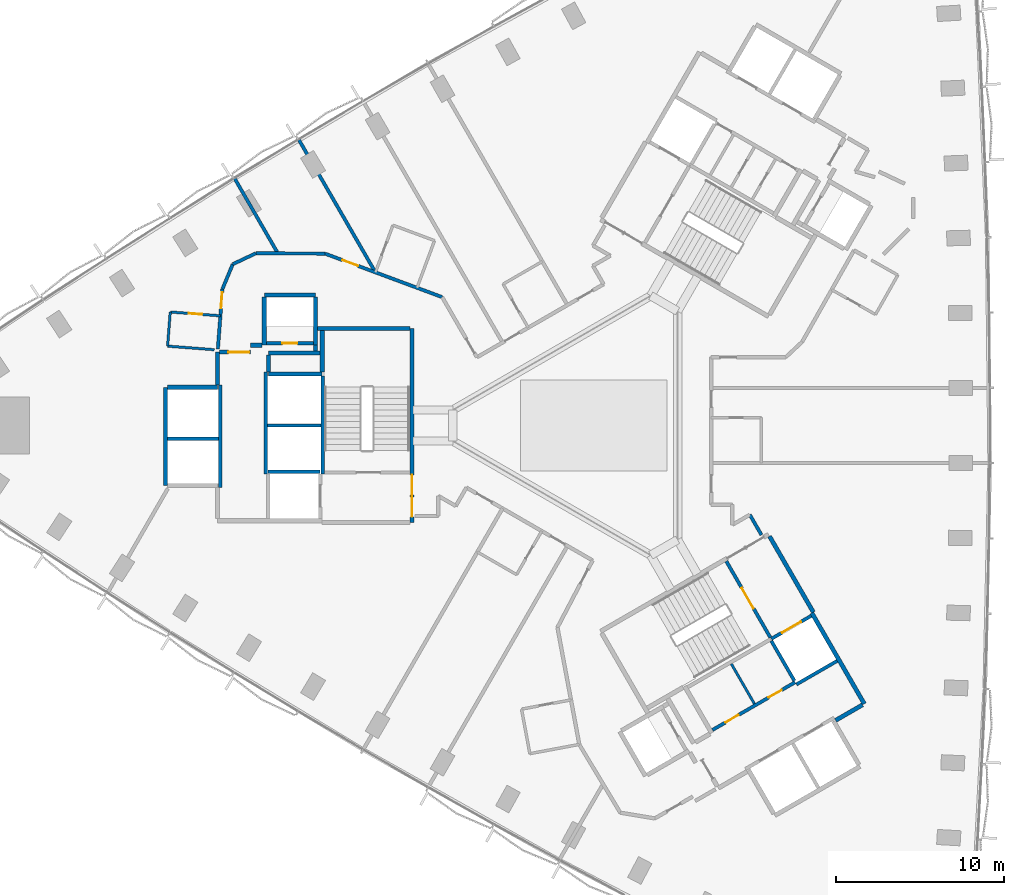
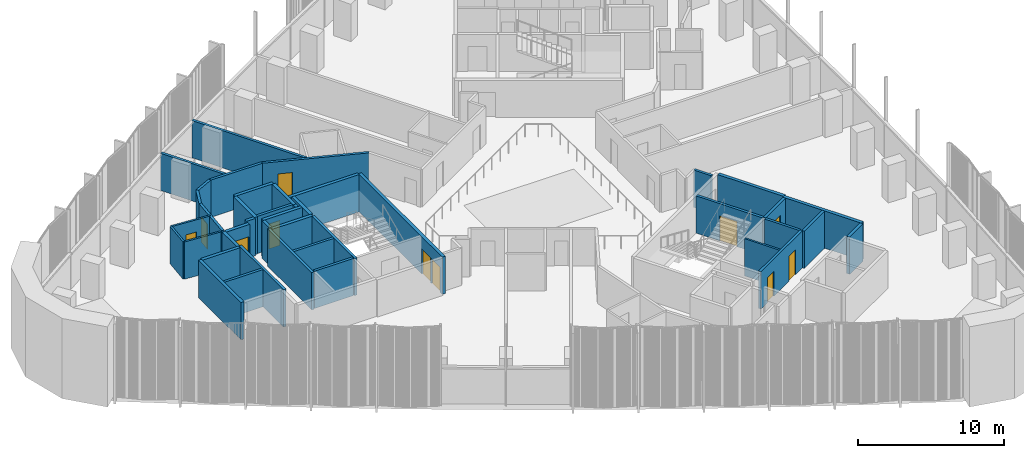
# One storey, part 9 of 15: 42 walls, 11 doors, 11 openings.
"""IFC4 building model written with IfcOpenShell, lengths in metres."""

from ifc_helpers import new_model, si_unit, direction, frame, frame_2d, origin, place, context, subcontext, project, spatial, rectangle, extrude, material, layer, layer_set, type_object, element, fill, save


model = new_model("IFC4")

# Units and contexts
model_context = context("Model", 3, precision=1e-05, world=origin(), true_north=direction((0.0, 1.0)))
body_context = subcontext(model_context, "Body", "Model", "MODEL_VIEW")
ifc_project = project(units=[si_unit("LENGTHUNIT", "METRE"), si_unit("AREAUNIT", "SQUARE_METRE"), si_unit("VOLUMEUNIT", "CUBIC_METRE"), si_unit("PLANEANGLEUNIT", "RADIAN"), si_unit("MASSUNIT", "GRAM", prefix="KILO")], contexts=[model_context])

# Site, building, storey
site_placement = place(None, origin())
site = spatial("IfcSite", under=ifc_project, at=site_placement, CompositionType="ELEMENT")
building_placement = place(site_placement, origin())
building = spatial("IfcBuilding", under=site, at=building_placement, Name="Tamra Quay Hotel Tower", CompositionType="ELEMENT")
storey_placement = place(building_placement, frame((0.0, 0.0, 35.0)))
storey = spatial("IfcBuildingStorey", under=building, at=storey_placement, Name="L06", CompositionType="ELEMENT", Elevation=35.0)

# Walls
ifc_material_1 = material(Name="Concrete M70", Category="concrete")
ifc_layer_1 = layer(ifc_material_1, 0.199951171875)
ifc_layer_set_1 = layer_set([ifc_layer_1], Name="Concrete M70 core wall 200")
wall_type_1 = type_object("IfcWallType", Name="Concrete M70 core wall 200", PredefinedType="SHEAR", material=ifc_layer_set_1)
wall_1_placement = place(storey_placement, frame((-16.162109375, 2.95068359375, 0.0), z_axis=(0.0, 0.0, 1.0), x_axis=(0.0, -1.0, 0.0)))
element("IfcWall", 1, at=wall_1_placement, inside=storey, type_object=wall_type_1, Name="CW2", PredefinedType="SHEAR", context=body_context, shape_type="SweptSolid", body=[
    extrude(rectangle(XDim=5.850830078125, YDim=0.199951171875, at=frame_2d((2.92529296875, 0.0))), origin(), (0.0, 0.0, 1.0), 3.125),
])
for number, where, z_axis, x_axis, name in (
    (2, (-19.5625, -2.900146484375, 0.0), (0.0, 0.0, 1.0), (0.0, 1.0, 0.0), "CW2"),
    (3, (-22.26220703125, 2.400146484375, 0.0), (0.0, 0.0, 1.0), (0.0, -1.0, 0.0), "CW2"),
):
    element("IfcWall", number, at=place(storey_placement, frame(where, z_axis=z_axis, x_axis=x_axis)), inside=storey, type_object=wall_type_1, Name=name, PredefinedType="SHEAR", context=body_context, shape_type="SweptSolid", body=[
        extrude(rectangle(XDim=6.100341796875, YDim=0.199951171875, at=frame_2d((3.05029296875, 0.0))), origin(), (0.0, 0.0, 1.0), 3.125),
    ])
wall_2_placement = place(storey_placement, frame((-16.26318359375, 0.0, 0.0), z_axis=(0.0, 0.0, 1.0), x_axis=(-1.0, 0.0, 0.0)))
element("IfcWall", 4, at=wall_2_placement, inside=storey, type_object=wall_type_1, Name="CW2", PredefinedType="SHEAR", context=body_context, shape_type="SweptSolid", body=[
    extrude(rectangle(XDim=3.1982421875, YDim=0.199951171875, at=frame_2d((1.59912109375, 0.0))), origin(), (0.0, 0.0, 1.0), 3.125),
])
wall_3_placement = place(storey_placement, frame((-22.36328125, -0.800048828125, 0.0), z_axis=(0.0, 0.0, 1.0), x_axis=(-1.0, 0.0, 0.0)))
element("IfcWall", 5, at=wall_3_placement, inside=storey, type_object=wall_type_1, Name="CW2", PredefinedType="SHEAR", context=body_context, shape_type="SweptSolid", body=[
    extrude(rectangle(XDim=3.048095703125, YDim=0.199951171875, at=frame_2d((1.52392578125, 0.0))), origin(), (0.0, 0.0, 1.0), 3.125),
])

# Wall, opening, door
wall_4_placement = place(storey_placement, frame((-19.51123046875, 4.91015625, 0.0), z_axis=(0.0, 0.0, 1.0), x_axis=(1.0, 0.0, 0.0)))
wall_4 = element("IfcWall", 6, at=wall_4_placement, inside=storey, type_object=wall_type_1, Name="CW2", PredefinedType="SHEAR", context=body_context, shape_type="SweptSolid", body=[
    extrude(rectangle(XDim=2.7978515625, YDim=0.199951171875, at=frame_2d((1.39892578125, 0.0))), origin(), (0.0, 0.0, 1.0), 3.125),
])
opening_1_placement = place(wall_4_placement, frame((0.948974609375, 0.0, 0.0)))
opening_1 = element("IfcOpeningElement", 7, at=opening_1_placement, cuts=wall_4, Name="Opening D1", PredefinedType="OPENING", context=body_context, shape_type="SweptSolid", body=[
    extrude(rectangle(XDim=0.89990234375, YDim=2.10009765625, at=frame_2d((0.449951171875, 1.050048828125))), frame((0.0, 0.10986328125, 0.0), z_axis=(0.0, -1.0, 0.0), x_axis=(1.0, 0.0, 0.0)), (0.0, 0.0, 1.0), 0.219970703125),
])
ifc_material_2 = material(Name="Core door D1 900x2100 RH")
door_type_1 = type_object("IfcDoorType", Name="Core door D1 900x2100 RH", OperationType="NOTDEFINED", PredefinedType="DOOR", material=ifc_material_2)
door_1_placement = place(opening_1_placement, origin())
door_1 = element("IfcDoor", 8, at=door_1_placement, inside=storey, type_object=door_type_1, Name="D1", OperationType="SINGLE_SWING_RIGHT", OverallHeight=2.10009765625, OverallWidth=0.89990234375, PredefinedType="DOOR", context=body_context, shape_type="SweptSolid", body=[
    extrude(rectangle(XDim=0.89990234375, YDim=2.10009765625, at=frame_2d((0.449951171875, 1.050048828125))), frame((0.0, 0.02490234375, 0.0), z_axis=(0.0, -1.0, 0.0), x_axis=(1.0, 0.0, 0.0)), (0.0, 0.0, 1.0), 0.050048828125),
])
fill(opening_1, door_1)

# Wall
wall_5_placement = place(storey_placement, frame((-19.412353515625, -2.75, 0.0), z_axis=(0.0, 0.0, 1.0), x_axis=(1.0, 0.0, 0.0)))
element("IfcWall", 9, at=wall_5_placement, inside=storey, type_object=wall_type_1, Name="CW2", PredefinedType="SHEAR", context=body_context, shape_type="SweptSolid", body=[
    extrude(rectangle(XDim=3.10009765625, YDim=0.199951171875, at=frame_2d((1.550048828125, 0.0))), origin(), (0.0, 0.0, 1.0), 3.125),
])

# Wall, openings, doors
wall_6_placement = place(storey_placement, frame((7.0771484375, -18.156005859375, 0.0), z_axis=(0.0, 0.0, 1.0), x_axis=(0.866038630372, 0.499977090179, 0.0)))
wall_6 = element("IfcWall", 10, at=wall_6_placement, inside=storey, type_object=wall_type_1, Name="CW2", PredefinedType="SHEAR", context=body_context, shape_type="SweptSolid", body=[
    extrude(rectangle(XDim=5.698974609375, YDim=0.199951171875, at=frame_2d((2.849609375, 0.0))), origin(), (0.0, 0.0, 1.0), 3.125),
])
opening_2_placement = place(wall_6_placement, frame((0.89892578125, 0.0, 0.0)))
opening_2 = element("IfcOpeningElement", 11, at=opening_2_placement, cuts=wall_6, Name="Opening D2", PredefinedType="OPENING", context=body_context, shape_type="SweptSolid", body=[
    extrude(rectangle(XDim=0.89990234375, YDim=2.10009765625, at=frame_2d((0.449951171875, 1.050048828125))), frame((0.0, 0.10986328125, 0.0), z_axis=(0.0, -1.0, 0.0), x_axis=(1.0, 0.0, 0.0)), (0.0, 0.0, 1.0), 0.219970703125),
])
opening_3_placement = place(wall_6_placement, frame((3.8740234375, 0.0, 0.0)))
opening_3 = element("IfcOpeningElement", 12, at=opening_3_placement, cuts=wall_6, Name="Opening D2", PredefinedType="OPENING", context=body_context, shape_type="SweptSolid", body=[
    extrude(rectangle(XDim=0.89990234375, YDim=2.10009765625, at=frame_2d((0.449951171875, 1.050048828125))), frame((0.0, 0.10986328125, 0.0), z_axis=(0.0, -1.0, 0.0), x_axis=(1.0, 0.0, 0.0)), (0.0, 0.0, 1.0), 0.219970703125),
])
ifc_material_3 = material(Name="Core door D2 900x2100 LH")
door_type_2 = type_object("IfcDoorType", Name="Core door D2 900x2100 LH", OperationType="NOTDEFINED", PredefinedType="DOOR", material=ifc_material_3)
door_2_placement = place(opening_2_placement, origin())
door_2 = element("IfcDoor", 13, at=door_2_placement, inside=storey, type_object=door_type_2, Name="D2", OperationType="SINGLE_SWING_LEFT", OverallHeight=2.10009765625, OverallWidth=0.89990234375, PredefinedType="DOOR", context=body_context, shape_type="SweptSolid", body=[
    extrude(rectangle(XDim=0.89990234375, YDim=2.10009765625, at=frame_2d((0.449951171875, 1.050048828125))), frame((0.0, 0.02490234375, 0.0), z_axis=(0.0, -1.0, 0.0), x_axis=(1.0, 0.0, 0.0)), (0.0, 0.0, 1.0), 0.050048828125),
])
fill(opening_2, door_2)
ifc_material_4 = material(Name="Core door D2 900x2100 RH")
door_type_3 = type_object("IfcDoorType", Name="Core door D2 900x2100 RH", OperationType="NOTDEFINED", PredefinedType="DOOR", material=ifc_material_4)
door_3_placement = place(opening_3_placement, origin())
door_3 = element("IfcDoor", 14, at=door_3_placement, inside=storey, type_object=door_type_3, Name="D2", OperationType="SINGLE_SWING_RIGHT", OverallHeight=2.10009765625, OverallWidth=0.89990234375, PredefinedType="DOOR", context=body_context, shape_type="SweptSolid", body=[
    extrude(rectangle(XDim=0.89990234375, YDim=2.10009765625, at=frame_2d((0.449951171875, 1.050048828125))), frame((0.0, 0.02490234375, 0.0), z_axis=(0.0, -1.0, 0.0), x_axis=(1.0, 0.0, 0.0)), (0.0, 0.0, 1.0), 0.050048828125),
])
fill(opening_3, door_3)

# Wall, opening, door
wall_7_placement = place(storey_placement, frame((7.906494140625, -8.094482421875, 0.0), z_axis=(0.0, 0.0, 1.0), x_axis=(0.500024287448, -0.866011380966, 0.0)))
wall_7 = element("IfcWall", 15, at=wall_7_placement, inside=storey, type_object=wall_type_1, Name="CW2", PredefinedType="SHEAR", context=body_context, shape_type="SweptSolid", body=[
    extrude(rectangle(XDim=5.251220703125, YDim=0.199951171875, at=frame_2d((2.62548828125, 0.0))), origin(), (0.0, 0.0, 1.0), 3.125),
])
opening_4_placement = place(wall_7_placement, frame((1.84912109375, 0.0, 0.0)))
opening_4 = element("IfcOpeningElement", 16, at=opening_4_placement, cuts=wall_7, Name="Opening FD2", PredefinedType="OPENING", context=body_context, shape_type="SweptSolid", body=[
    extrude(rectangle(XDim=1.39990234375, YDim=2.10009765625, at=frame_2d((0.699951171875, 1.050048828125))), frame((0.0, 0.10986328125, 0.0), z_axis=(0.0, -1.0, 0.0), x_axis=(1.0, 0.0, 0.0)), (0.0, 0.0, 1.0), 0.219970703125),
])
ifc_material_5 = material(Name="Core door FD2 1400x2100 RH")
door_type_4 = type_object("IfcDoorType", Name="Core door FD2 1400x2100 RH", OperationType="NOTDEFINED", PredefinedType="DOOR", material=ifc_material_5)
door_4_placement = place(opening_4_placement, origin())
door_4 = element("IfcDoor", 17, at=door_4_placement, inside=storey, type_object=door_type_4, Name="FD2", OperationType="SINGLE_SWING_RIGHT", OverallHeight=2.10009765625, OverallWidth=1.39990234375, PredefinedType="DOOR", context=body_context, shape_type="SweptSolid", body=[
    extrude(rectangle(XDim=1.39990234375, YDim=2.10009765625, at=frame_2d((0.699951171875, 1.050048828125))), frame((0.0, 0.02490234375, 0.0), z_axis=(0.0, -1.0, 0.0), x_axis=(1.0, 0.0, 0.0)), (0.0, 0.0, 1.0), 0.050048828125),
])
fill(opening_4, door_4)

# Wall
wall_8_placement = place(storey_placement, frame((11.962646484375, -15.219970703125, 0.0), z_axis=(0.0, 0.0, 1.0), x_axis=(-0.500034990121, 0.866005201286, 0.0)))
element("IfcWall", 18, at=wall_8_placement, inside=storey, type_object=wall_type_1, Name="CW2", PredefinedType="SHEAR", context=body_context, shape_type="SweptSolid", body=[
    extrude(rectangle(XDim=2.749755859375, YDim=0.199951171875, at=frame_2d((1.375, 0.0))), origin(), (0.0, 0.0, 1.0), 3.125),
])

# Wall, opening, door
wall_9_placement = place(storey_placement, frame((10.587158203125, -12.72314453125, 0.0), z_axis=(0.0, 0.0, 1.0), x_axis=(0.866037306777, 0.499979382845, 0.0)))
wall_9 = element("IfcWall", 19, at=wall_9_placement, inside=storey, type_object=wall_type_1, Name="CW2", PredefinedType="SHEAR", context=body_context, shape_type="SweptSolid", body=[
    extrude(rectangle(XDim=2.74169921875, YDim=0.199951171875, at=frame_2d((1.370849609375, 0.0))), origin(), (0.0, 0.0, 1.0), 3.125),
])
opening_5_placement = place(wall_9_placement, frame((0.742919921875, 0.0, 0.0)))
opening_5 = element("IfcOpeningElement", 20, at=opening_5_placement, cuts=wall_9, Name="Opening LD", PredefinedType="OPENING", context=body_context, shape_type="SweptSolid", body=[
    extrude(rectangle(XDim=1.300048828125, YDim=2.10009765625, at=frame_2d((0.64990234375, 1.050048828125))), frame((0.0, 0.10986328125, 0.0), z_axis=(0.0, -1.0, 0.0), x_axis=(1.0, 0.0, 0.0)), (0.0, 0.0, 1.0), 0.219970703125),
])
ifc_material_6 = material(Name="Landing door LD 1300 sliding to right")
door_type_5 = type_object("IfcDoorType", Name="Landing door LD 1300 sliding to right", OperationType="NOTDEFINED", PredefinedType="DOOR", material=ifc_material_6)
door_5_placement = place(opening_5_placement, origin())
door_5 = element("IfcDoor", 21, at=door_5_placement, inside=storey, type_object=door_type_5, Name="LD", OperationType="SLIDING_TO_RIGHT", OverallHeight=2.10009765625, OverallWidth=1.300048828125, PredefinedType="DOOR", context=body_context, shape_type="SweptSolid", body=[
    extrude(rectangle(XDim=1.300048828125, YDim=2.10009765625, at=frame_2d((0.64990234375, 1.050048828125))), frame((0.0, 0.02490234375, 0.0), z_axis=(0.0, -1.0, 0.0), x_axis=(1.0, 0.0, 0.0)), (0.0, 0.0, 1.0), 0.050048828125),
])
fill(opening_5, door_5)

# Wall
wall_10_placement = place(storey_placement, frame((14.51171875, -14.037109375, 0.0), z_axis=(0.0, 0.0, 1.0), x_axis=(-0.866044696403, -0.499966582715, 0.0)))
element("IfcWall", 22, at=wall_10_placement, inside=storey, type_object=wall_type_1, Name="CW2", PredefinedType="SHEAR", context=body_context, shape_type="SweptSolid", body=[
    extrude(rectangle(XDim=2.799072265625, YDim=0.199951171875, at=frame_2d((1.3994140625, 0.0))), origin(), (0.0, 0.0, 1.0), 3.125),
])

# Wall, openings, doors
ifc_layer_2 = layer(ifc_material_1, 0.25)
ifc_layer_set_2 = layer_set([ifc_layer_2], Name="Concrete M70 core wall 250")
wall_type_2 = type_object("IfcWallType", Name="Concrete M70 core wall 250", PredefinedType="SHEAR", material=ifc_layer_set_2)
wall_11_placement = place(storey_placement, frame((-10.83740234375, 5.77490234375, 0.0), z_axis=(0.0, 0.0, 1.0), x_axis=(0.0, -1.0, 0.0)))
wall_11 = element("IfcWall", 23, at=wall_11_placement, inside=storey, type_object=wall_type_2, Name="CW1", PredefinedType="SHEAR", context=body_context, shape_type="SweptSolid", body=[
    extrude(rectangle(XDim=11.5498046875, YDim=0.25, at=frame_2d((5.77490234375, 0.0))), origin(), (0.0, 0.0, 1.0), 3.125),
])
opening_6_placement = place(wall_11_placement, frame((10.02490234375, 0.0, 0.0)))
opening_6 = element("IfcOpeningElement", 24, at=opening_6_placement, cuts=wall_11, Name="Opening FD1", PredefinedType="OPENING", context=body_context, shape_type="SweptSolid", body=[
    extrude(rectangle(XDim=1.199951171875, YDim=2.10009765625, at=frame_2d((0.60009765625, 1.050048828125))), frame((0.0, 0.135009765625, 0.0), z_axis=(0.0, -1.0, 0.0), x_axis=(1.0, 0.0, 0.0)), (0.0, 0.0, 1.0), 0.27001953125),
])
opening_7_placement = place(wall_11_placement, frame((8.72509765625, 0.0, 0.0)))
opening_7 = element("IfcOpeningElement", 25, at=opening_7_placement, cuts=wall_11, Name="Opening FD1", PredefinedType="OPENING", context=body_context, shape_type="SweptSolid", body=[
    extrude(rectangle(XDim=1.199951171875, YDim=2.10009765625, at=frame_2d((0.60009765625, 1.050048828125))), frame((0.0, 0.135009765625, 0.0), z_axis=(0.0, -1.0, 0.0), x_axis=(1.0, 0.0, 0.0)), (0.0, 0.0, 1.0), 0.27001953125),
])
ifc_material_7 = material(Name="Core door FD1 1200x2100 LH")
door_type_6 = type_object("IfcDoorType", Name="Core door FD1 1200x2100 LH", OperationType="NOTDEFINED", PredefinedType="DOOR", material=ifc_material_7)
door_6_placement = place(opening_6_placement, origin())
door_6 = element("IfcDoor", 26, at=door_6_placement, inside=storey, type_object=door_type_6, Name="FD1", OperationType="SINGLE_SWING_LEFT", OverallHeight=2.10009765625, OverallWidth=1.199951171875, PredefinedType="DOOR", context=body_context, shape_type="SweptSolid", body=[
    extrude(rectangle(XDim=1.199951171875, YDim=2.10009765625, at=frame_2d((0.60009765625, 1.050048828125))), frame((0.0, 0.02490234375, 0.0), z_axis=(0.0, -1.0, 0.0), x_axis=(1.0, 0.0, 0.0)), (0.0, 0.0, 1.0), 0.050048828125),
])
fill(opening_6, door_6)
ifc_material_8 = material(Name="Core door FD1 1200x2100 RH")
door_type_7 = type_object("IfcDoorType", Name="Core door FD1 1200x2100 RH", OperationType="NOTDEFINED", PredefinedType="DOOR", material=ifc_material_8)
door_7_placement = place(opening_7_placement, origin())
door_7 = element("IfcDoor", 27, at=door_7_placement, inside=storey, type_object=door_type_7, Name="FD1", OperationType="SINGLE_SWING_RIGHT", OverallHeight=2.10009765625, OverallWidth=1.199951171875, PredefinedType="DOOR", context=body_context, shape_type="SweptSolid", body=[
    extrude(rectangle(XDim=1.199951171875, YDim=2.10009765625, at=frame_2d((0.60009765625, 1.050048828125))), frame((0.0, 0.02490234375, 0.0), z_axis=(0.0, -1.0, 0.0), x_axis=(1.0, 0.0, 0.0)), (0.0, 0.0, 1.0), 0.050048828125),
])
fill(opening_7, door_7)

# Walls
wall_12_placement = place(storey_placement, frame((-25.537353515625, -3.574951171875, 0.0), z_axis=(0.0, 0.0, 1.0), x_axis=(0.0, 1.0, 0.0)))
element("IfcWall", 28, at=wall_12_placement, inside=storey, type_object=wall_type_2, Name="CW1", PredefinedType="SHEAR", context=body_context, shape_type="SweptSolid", body=[
    extrude(rectangle(XDim=5.849853515625, YDim=0.25, at=frame_2d((2.9248046875, 0.0))), origin(), (0.0, 0.0, 1.0), 3.125),
])
wall_13_placement = place(storey_placement, frame((-16.47216796875, 5.77490234375, 0.0), z_axis=(0.0, 0.0, 1.0), x_axis=(1.0, 0.0, 0.0)))
element("IfcWall", 29, at=wall_13_placement, inside=storey, type_object=wall_type_2, Name="CW1", PredefinedType="SHEAR", context=body_context, shape_type="SweptSolid", body=[
    extrude(rectangle(XDim=5.509521484375, YDim=0.25, at=frame_2d((2.7548828125, 0.0))), origin(), (0.0, 0.0, 1.0), 3.125),
])
wall_14_placement = place(storey_placement, frame((-19.38720703125, 3.074951171875, 0.0), z_axis=(0.0, 0.0, 1.0), x_axis=(1.0, 0.0, 0.0)))
element("IfcWall", 30, at=wall_14_placement, inside=storey, type_object=wall_type_2, Name="CW1", PredefinedType="SHEAR", context=body_context, shape_type="SweptSolid", body=[
    extrude(rectangle(XDim=3.199951171875, YDim=0.25, at=frame_2d((1.60009765625, 0.0))), origin(), (0.0, 0.0, 1.0), 3.125),
])
wall_15_placement = place(storey_placement, frame((-25.411865234375, 2.27490234375, 0.0), z_axis=(0.0, 0.0, 1.0), x_axis=(1.0, 0.0, 0.0)))
element("IfcWall", 31, at=wall_15_placement, inside=storey, type_object=wall_type_2, Name="CW1", PredefinedType="SHEAR", context=body_context, shape_type="SweptSolid", body=[
    extrude(rectangle(XDim=2.974609375, YDim=0.25, at=frame_2d((1.4873046875, 0.0))), origin(), (0.0, 0.0, 1.0), 3.125),
])
wall_16_placement = place(storey_placement, frame((-19.63720703125, 7.77490234375, 0.0), z_axis=(0.0, 0.0, 1.0), x_axis=(1.0, 0.0, 0.0)))
element("IfcWall", 32, at=wall_16_placement, inside=storey, type_object=wall_type_2, Name="CW1", PredefinedType="SHEAR", context=body_context, shape_type="SweptSolid", body=[
    extrude(rectangle(XDim=3.0498046875, YDim=0.25, at=frame_2d((1.52490234375, 0.0))), origin(), (0.0, 0.0, 1.0), 3.125),
])
for number, where, z_axis, x_axis, name in (
    (33, (-16.58740234375, 7.649658203125, 0.0), (0.0, 0.0, 1.0), (0.0, -1.0, 0.0), "CW1"),
    (34, (-19.63720703125, 4.784912109375, 0.0), (0.0, 0.0, 1.0), (0.0, 1.0, 0.0), "CW1"),
):
    element("IfcWall", number, at=place(storey_placement, frame(where, z_axis=z_axis, x_axis=x_axis)), inside=storey, type_object=wall_type_2, Name=name, PredefinedType="SHEAR", context=body_context, shape_type="SweptSolid", body=[
        extrude(rectangle(XDim=2.86474609375, YDim=0.25, at=frame_2d((1.432373046875, 0.0))), origin(), (0.0, 0.0, 1.0), 3.125),
    ])
wall_17_placement = place(storey_placement, frame((-16.30224609375, 4.31494140625, 0.0), z_axis=(0.0, 0.0, 1.0), x_axis=(-1.0, 0.0, 0.0)))
element("IfcWall", 35, at=wall_17_placement, inside=storey, type_object=wall_type_2, Name="CW1", PredefinedType="SHEAR", context=body_context, shape_type="SweptSolid", body=[
    extrude(rectangle(XDim=3.0849609375, YDim=0.25, at=frame_2d((1.54248046875, 0.0))), origin(), (0.0, 0.0, 1.0), 3.125),
])
wall_18_placement = place(storey_placement, frame((-16.187255859375, 3.200439453125, 0.0), z_axis=(0.0, 0.0, 1.0), x_axis=(0.0, 1.0, 0.0)))
element("IfcWall", 36, at=wall_18_placement, inside=storey, type_object=wall_type_2, Name="CW1", PredefinedType="SHEAR", context=body_context, shape_type="SweptSolid", body=[
    extrude(rectangle(XDim=2.44921875, YDim=0.25, at=frame_2d((1.224609375, 0.0))), origin(), (0.0, 0.0, 1.0), 3.125),
])
wall_19_placement = place(storey_placement, frame((-22.437255859375, 2.400390625, 0.0), z_axis=(0.0, 0.0, 1.0), x_axis=(0.0, 1.0, 0.0)))
element("IfcWall", 37, at=wall_19_placement, inside=storey, type_object=wall_type_2, Name="CW1", PredefinedType="SHEAR", context=body_context, shape_type="SweptSolid", body=[
    extrude(rectangle(XDim=1.974609375, YDim=0.25, at=frame_2d((0.9873046875, 0.0))), origin(), (0.0, 0.0, 1.0), 3.125),
])

# Wall, opening, door
wall_20_placement = place(storey_placement, frame((-22.311767578125, 4.375, 0.0), z_axis=(0.0, 0.0, 1.0), x_axis=(1.0, 0.0, 0.0)))
wall_20 = element("IfcWall", 38, at=wall_20_placement, inside=storey, type_object=wall_type_2, Name="CW1", PredefinedType="SHEAR", context=body_context, shape_type="SweptSolid", body=[
    extrude(rectangle(XDim=1.864501953125, YDim=0.25, at=frame_2d((0.93212890625, 0.0))), origin(), (0.0, 0.0, 1.0), 3.125),
])
opening_8_placement = place(wall_20_placement, frame((0.53466796875, 0.0, 0.0)))
opening_8 = element("IfcOpeningElement", 39, at=opening_8_placement, cuts=wall_20, Name="Opening FD3", PredefinedType="OPENING", context=body_context, shape_type="SweptSolid", body=[
    extrude(rectangle(XDim=1.25, YDim=2.10009765625, at=frame_2d((0.625, 1.050048828125))), frame((0.0, 0.135009765625, 0.0), z_axis=(0.0, -1.0, 0.0), x_axis=(1.0, 0.0, 0.0)), (0.0, 0.0, 1.0), 0.27001953125),
])
ifc_material_9 = material(Name="Core door FD3 1250x2100 LH")
door_type_8 = type_object("IfcDoorType", Name="Core door FD3 1250x2100 LH", OperationType="NOTDEFINED", PredefinedType="DOOR", material=ifc_material_9)
door_8_placement = place(opening_8_placement, origin())
door_8 = element("IfcDoor", 40, at=door_8_placement, inside=storey, type_object=door_type_8, Name="FD3", OperationType="SINGLE_SWING_LEFT", OverallHeight=2.10009765625, OverallWidth=1.25, PredefinedType="DOOR", context=body_context, shape_type="SweptSolid", body=[
    extrude(rectangle(XDim=1.25, YDim=2.10009765625, at=frame_2d((0.625, 1.050048828125))), frame((0.0, 0.02490234375, 0.0), z_axis=(0.0, -1.0, 0.0), x_axis=(1.0, 0.0, 0.0)), (0.0, 0.0, 1.0), 0.050048828125),
])
fill(opening_8, door_8)

# Walls
wall_21_placement = place(storey_placement, frame((-19.38720703125, 4.189697265625, 0.0), z_axis=(0.0, 0.0, 1.0), x_axis=(0.0, -1.0, 0.0)))
element("IfcWall", 41, at=wall_21_placement, inside=storey, type_object=wall_type_2, Name="CW1", PredefinedType="SHEAR", context=body_context, shape_type="SweptSolid", body=[
    extrude(rectangle(XDim=0.9892578125, YDim=0.25, at=frame_2d((0.49462890625, 0.0))), origin(), (0.0, 0.0, 1.0), 3.125),
])
wall_22_placement = place(storey_placement, frame((-20.447265625, 4.784912109375, 0.0), z_axis=(0.0, 0.0, 1.0), x_axis=(1.0, 0.0, 0.0)))
element("IfcWall", 42, at=wall_22_placement, inside=storey, type_object=wall_type_2, Name="CW1", PredefinedType="SHEAR", context=body_context, shape_type="SweptSolid", body=[
    extrude(rectangle(XDim=0.6845703125, YDim=0.25, at=frame_2d((0.34228515625, 0.0))), origin(), (0.0, 0.0, 1.0), 3.125),
])
wall_23_placement = place(storey_placement, frame((-16.577392578125, 4.784912109375, 0.0), z_axis=(0.0, 0.0, 1.0), x_axis=(0.0, -1.0, 0.0)))
element("IfcWall", 43, at=wall_23_placement, inside=storey, type_object=wall_type_2, Name="CW1", PredefinedType="SHEAR", context=body_context, shape_type="SweptSolid", body=[
    extrude(rectangle(XDim=0.344482421875, YDim=0.25, at=frame_2d((0.17236328125, 0.0))), origin(), (0.0, 0.0, 1.0), 3.125),
])
wall_24_placement = place(storey_placement, frame((13.00830078125, -11.18115234375, 0.0), z_axis=(0.0, 0.0, 1.0), x_axis=(0.500004234368, -0.866022959057, 0.0)))
element("IfcWall", 44, at=wall_24_placement, inside=storey, type_object=wall_type_2, Name="CW1", PredefinedType="SHEAR", context=body_context, shape_type="SweptSolid", body=[
    extrude(rectangle(XDim=6.25, YDim=0.25, at=frame_2d((3.125, 0.0))), origin(), (0.0, 0.0, 1.0), 3.125),
])
wall_25_placement = place(storey_placement, frame((10.482666015625, -6.6064453125, 0.0), z_axis=(0.0, 0.0, 1.0), x_axis=(0.49999885962, -0.866026062182, 0.0)))
element("IfcWall", 45, at=wall_25_placement, inside=storey, type_object=wall_type_2, Name="CW1", PredefinedType="SHEAR", context=body_context, shape_type="SweptSolid", body=[
    extrude(rectangle(XDim=5.224609375, YDim=0.25, at=frame_2d((2.6123046875, 0.0))), origin(), (0.0, 0.0, 1.0), 3.125),
])
wall_26_placement = place(storey_placement, frame((16.024658203125, -16.656494140625, 0.0), z_axis=(0.0, 0.0, 1.0), x_axis=(-0.866016279763, -0.500015802937, 0.0)))
element("IfcWall", 46, at=wall_26_placement, inside=storey, type_object=wall_type_2, Name="CW1", PredefinedType="SHEAR", context=body_context, shape_type="SweptSolid", body=[
    extrude(rectangle(XDim=1.84912109375, YDim=0.25, at=frame_2d((0.924560546875, 0.0))), origin(), (0.0, 0.0, 1.0), 3.125),
])
ifc_material_10 = material(Name="Blockwork", Category="masonry")
ifc_layer_3 = layer(ifc_material_10, 0.14990234375)
ifc_layer_set_3 = layer_set([ifc_layer_3], Name="Core partition block 150")
wall_type_3 = type_object("IfcWallType", Name="Core partition block 150", PredefinedType="PARTITIONING", material=ifc_layer_set_3)
wall_27_placement = place(storey_placement, frame((8.20654296875, -14.214111328125, 0.0), z_axis=(0.0, 0.0, 1.0), x_axis=(0.50002746344, -0.86600954718, 0.0)))
element("IfcWall", 47, at=wall_27_placement, inside=storey, type_object=wall_type_3, Name="CP1", PredefinedType="PARTITIONING", context=body_context, shape_type="SweptSolid", body=[
    extrude(rectangle(XDim=2.748291015625, YDim=0.14990234375, at=frame_2d((1.3740234375, 0.0))), origin(), (0.0, 0.0, 1.0), 3.125),
])

# Wall, opening, door
ifc_material_11 = material(Name="Partition corridor wall")
ifc_layer_4 = layer(ifc_material_11, 0.199951171875)
ifc_layer_set_4 = layer_set([ifc_layer_4], Name="Partition corridor wall")
wall_type_4 = type_object("IfcWallType", Name="Partition corridor wall", PredefinedType="PARTITIONING", material=ifc_layer_set_4)
wall_28_placement = place(storey_placement, frame((-22.406494140625, 4.56005859375, 0.0), z_axis=(0.0, 0.0, 1.0), x_axis=(0.075830817711, 0.997120698354, 0.0)))
wall_28 = element("IfcWall", 48, at=wall_28_placement, inside=storey, type_object=wall_type_4, Name="W-C", PredefinedType="PARTITIONING", context=body_context, shape_type="SweptSolid", body=[
    extrude(rectangle(XDim=3.580078125, YDim=0.199951171875, at=frame_2d((1.7900390625, 0.0))), origin(), (0.0, 0.0, 1.0), 3.125),
])
opening_9_placement = place(wall_28_placement, frame((2.430419921875, 0.0, 0.0)))
opening_9 = element("IfcOpeningElement", 49, at=opening_9_placement, cuts=wall_28, Name="Opening L06-D012", PredefinedType="OPENING", context=body_context, shape_type="SweptSolid", body=[
    extrude(rectangle(XDim=0.949951171875, YDim=2.10009765625, at=frame_2d((0.47509765625, 1.050048828125))), frame((0.0, 0.10986328125, 0.0), z_axis=(0.0, -1.0, 0.0), x_axis=(1.0, 0.0, 0.0)), (0.0, 0.0, 1.0), 0.219970703125),
])
ifc_material_12 = material(Name="Door guest room 950x2100")
door_type_9 = type_object("IfcDoorType", Name="Door guest room 950x2100", OperationType="NOTDEFINED", PredefinedType="DOOR", material=ifc_material_12)
door_9_placement = place(opening_9_placement, origin())
door_9 = element("IfcDoor", 50, at=door_9_placement, inside=storey, type_object=door_type_9, Name="L06-D012", OperationType="SINGLE_SWING_LEFT", OverallHeight=2.10009765625, OverallWidth=0.949951171875, PredefinedType="DOOR", context=body_context, shape_type="SweptSolid", body=[
    extrude(rectangle(XDim=0.949951171875, YDim=2.10009765625, at=frame_2d((0.47509765625, 1.050048828125))), frame((0.0, 0.02490234375, 0.0), z_axis=(0.0, -1.0, 0.0), x_axis=(1.0, 0.0, 0.0)), (0.0, 0.0, 1.0), 0.050048828125),
])
fill(opening_9, door_9)

# Walls
wall_29_placement = place(storey_placement, frame((-22.135009765625, 8.134033203125, 0.0), z_axis=(0.0, 0.0, 1.0), x_axis=(0.383208453534, 0.923661886807, 0.0)))
element("IfcWall", 51, at=wall_29_placement, inside=storey, type_object=wall_type_4, Name="W-C", PredefinedType="PARTITIONING", context=body_context, shape_type="SweptSolid", body=[
    extrude(rectangle(XDim=1.602294921875, YDim=0.199951171875, at=frame_2d((0.80126953125, 0.0))), origin(), (0.0, 0.0, 1.0), 3.125),
])
wall_30_placement = place(storey_placement, frame((-21.52099609375, 9.614013671875, 0.0), z_axis=(0.0, 0.0, 1.0), x_axis=(0.904083527367, 0.427355795028, 0.0)))
element("IfcWall", 52, at=wall_30_placement, inside=storey, type_object=wall_type_4, Name="W-C", PredefinedType="PARTITIONING", context=body_context, shape_type="SweptSolid", body=[
    extrude(rectangle(XDim=1.52294921875, YDim=0.199951171875, at=frame_2d((0.761474609375, 0.0))), origin(), (0.0, 0.0, 1.0), 3.125),
])
wall_31_placement = place(storey_placement, frame((-20.14306640625, 10.26611328125, 0.0), z_axis=(0.0, 0.0, 1.0), x_axis=(0.999989297417, -0.004626559416, 0.0)))
element("IfcWall", 53, at=wall_31_placement, inside=storey, type_object=wall_type_4, Name="W-C", PredefinedType="PARTITIONING", context=body_context, shape_type="SweptSolid", body=[
    extrude(rectangle(XDim=4.115966796875, YDim=0.199951171875, at=frame_2d((2.05810546875, 0.0))), origin(), (0.0, 0.0, 1.0), 3.125),
])

# Wall, opening, door
wall_32_placement = place(storey_placement, frame((-16.025146484375, 10.248046875, 0.0), z_axis=(0.0, 0.0, 1.0), x_axis=(0.937475629829, -0.348050920809, 0.0)))
wall_32 = element("IfcWall", 54, at=wall_32_placement, inside=storey, type_object=wall_type_4, Name="W-C", PredefinedType="PARTITIONING", context=body_context, shape_type="SweptSolid", body=[
    extrude(rectangle(XDim=7.45849609375, YDim=0.199951171875, at=frame_2d((3.729248046875, 0.0))), origin(), (0.0, 0.0, 1.0), 3.125),
])
opening_10_placement = place(wall_32_placement, frame((1.11279296875, 0.0, 0.0)))
opening_10 = element("IfcOpeningElement", 55, at=opening_10_placement, cuts=wall_32, Name="Opening L06-D011", PredefinedType="OPENING", context=body_context, shape_type="SweptSolid", body=[
    extrude(rectangle(XDim=1.0, YDim=2.10009765625, at=frame_2d((0.5, 1.050048828125))), frame((0.0, 0.10986328125, 0.0), z_axis=(0.0, -1.0, 0.0), x_axis=(1.0, 0.0, 0.0)), (0.0, 0.0, 1.0), 0.219970703125),
])
ifc_material_13 = material(Name="Door guest room 1000x2100")
door_type_10 = type_object("IfcDoorType", Name="Door guest room 1000x2100", OperationType="NOTDEFINED", PredefinedType="DOOR", material=ifc_material_13)
door_10_placement = place(opening_10_placement, origin())
door_10 = element("IfcDoor", 56, at=door_10_placement, inside=storey, type_object=door_type_10, Name="L06-D011", OperationType="SINGLE_SWING_LEFT", OverallHeight=2.10009765625, OverallWidth=1.0, PredefinedType="DOOR", context=body_context, shape_type="SweptSolid", body=[
    extrude(rectangle(XDim=1.0, YDim=2.10009765625, at=frame_2d((0.5, 1.050048828125))), frame((0.0, 0.02490234375, 0.0), z_axis=(0.0, -1.0, 0.0), x_axis=(1.0, 0.0, 0.0)), (0.0, 0.0, 1.0), 0.050048828125),
])
fill(opening_10, door_10)

# Walls
wall_33_placement = place(storey_placement, frame((9.306884765625, -5.322021484375, 0.0), z_axis=(0.0, 0.0, 1.0), x_axis=(0.500295157811, -0.865854927266, 0.0)))
element("IfcWall", 57, at=wall_33_placement, inside=storey, type_object=wall_type_4, Name="W-C", PredefinedType="PARTITIONING", context=body_context, shape_type="SweptSolid", body=[
    extrude(rectangle(XDim=1.389892578125, YDim=0.199951171875, at=frame_2d((0.69482421875, 0.0))), origin(), (0.0, 0.0, 1.0), 3.125),
])
ifc_material_14 = material(Name="Partition en-suite wall")
ifc_layer_5 = layer(ifc_material_14, 0.14990234375)
ifc_layer_set_5 = layer_set([ifc_layer_5], Name="Partition en-suite wall")
wall_type_5 = type_object("IfcWallType", Name="Partition en-suite wall", PredefinedType="PARTITIONING", material=ifc_layer_set_5)
wall_34_placement = place(storey_placement, frame((-25.403076171875, 4.73193359375, 0.0), z_axis=(0.0, 0.0, 1.0), x_axis=(0.076109886026, 0.997099435989, 0.0)))
element("IfcWall", 58, at=wall_34_placement, inside=storey, type_object=wall_type_5, Name="W-E", PredefinedType="PARTITIONING", context=body_context, shape_type="SweptSolid", body=[
    extrude(rectangle(XDim=2.036865234375, YDim=0.14990234375, at=frame_2d((1.0185546875, 0.0))), origin(), (0.0, 0.0, 1.0), 3.125),
])
wall_35_placement = place(storey_placement, frame((-25.39990234375, 4.72998046875, 0.0), z_axis=(0.0, 0.0, 1.0), x_axis=(0.997102235974, -0.076073195115, 0.0)))
element("IfcWall", 59, at=wall_35_placement, inside=storey, type_object=wall_type_5, Name="W-E", PredefinedType="PARTITIONING", context=body_context, shape_type="SweptSolid", body=[
    extrude(rectangle(XDim=2.78564453125, YDim=0.14990234375, at=frame_2d((1.392822265625, 0.0))), origin(), (0.0, 0.0, 1.0), 3.125),
])

# Wall, opening, door
wall_36_placement = place(storey_placement, frame((-25.24609375, 6.76611328125, 0.0), z_axis=(0.0, 0.0, 1.0), x_axis=(0.997102673612, -0.076067458724, 0.0)))
wall_36 = element("IfcWall", 60, at=wall_36_placement, inside=storey, type_object=wall_type_5, Name="W-E", PredefinedType="PARTITIONING", context=body_context, shape_type="SweptSolid", body=[
    extrude(rectangle(XDim=2.997802734375, YDim=0.14990234375, at=frame_2d((1.4990234375, 0.0))), origin(), (0.0, 0.0, 1.0), 3.125),
])
opening_11_placement = place(wall_36_placement, frame((1.097900390625, 0.0, 0.0)))
opening_11 = element("IfcOpeningElement", 61, at=opening_11_placement, cuts=wall_36, Name="Opening L06-D013", PredefinedType="OPENING", context=body_context, shape_type="SweptSolid", body=[
    extrude(rectangle(XDim=0.800048828125, YDim=2.10009765625, at=frame_2d((0.39990234375, 1.050048828125))), frame((0.0, 0.0849609375, 0.0), z_axis=(0.0, -1.0, 0.0), x_axis=(1.0, 0.0, 0.0)), (0.0, 0.0, 1.0), 0.169921875),
])
ifc_material_15 = material(Name="Door en-suite 800x2100")
door_type_11 = type_object("IfcDoorType", Name="Door en-suite 800x2100", OperationType="NOTDEFINED", PredefinedType="DOOR", material=ifc_material_15)
door_11_placement = place(opening_11_placement, frame((0.800048828125, 0.0, 0.0), z_axis=(0.0, 0.0, 1.0), x_axis=(-1.0, 0.0, 0.0)))
door_11 = element("IfcDoor", 62, at=door_11_placement, inside=storey, type_object=door_type_11, Name="L06-D013", OperationType="SINGLE_SWING_LEFT", OverallHeight=2.10009765625, OverallWidth=0.800048828125, PredefinedType="DOOR", context=body_context, shape_type="SweptSolid", body=[
    extrude(rectangle(XDim=0.800048828125, YDim=2.10009765625, at=frame_2d((0.39990234375, 1.050048828125))), frame((0.0, 0.02490234375, 0.0), z_axis=(0.0, -1.0, 0.0), x_axis=(1.0, 0.0, 0.0)), (0.0, 0.0, 1.0), 0.050048828125),
])
fill(opening_11, door_11)

# Walls
ifc_material_16 = material(Name="Partition party wall")
ifc_layer_6 = layer(ifc_material_16, 0.199951171875)
ifc_layer_set_6 = layer_set([ifc_layer_6], Name="Partition party wall")
wall_type_6 = type_object("IfcWallType", Name="Partition party wall", PredefinedType="PARTITIONING", material=ifc_layer_set_6)
wall_37_placement = place(storey_placement, frame((-21.41162109375, 14.737060546875, 0.0), z_axis=(0.0, 0.0, 1.0), x_axis=(0.49998408811, -0.866034590324, 0.0)))
element("IfcWall", 63, at=wall_37_placement, inside=storey, type_object=wall_type_6, Name="W-P", PredefinedType="PARTITIONING", context=body_context, shape_type="SweptSolid", body=[
    extrude(rectangle(XDim=5.169677734375, YDim=0.199951171875, at=frame_2d((2.5849609375, 0.0))), origin(), (0.0, 0.0, 1.0), 3.125),
])
wall_38_placement = place(storey_placement, frame((-17.589599609375, 17.05517578125, 0.0), z_axis=(0.0, 0.0, 1.0), x_axis=(0.500034932695, -0.866005234444, 0.0)))
element("IfcWall", 64, at=wall_38_placement, inside=storey, type_object=wall_type_6, Name="W-P", PredefinedType="PARTITIONING", context=body_context, shape_type="SweptSolid", body=[
    extrude(rectangle(XDim=9.152587890625, YDim=0.199951171875, at=frame_2d((4.576171875, 0.0))), origin(), (0.0, 0.0, 1.0), 3.125),
])

save(model, "model.ifc")
